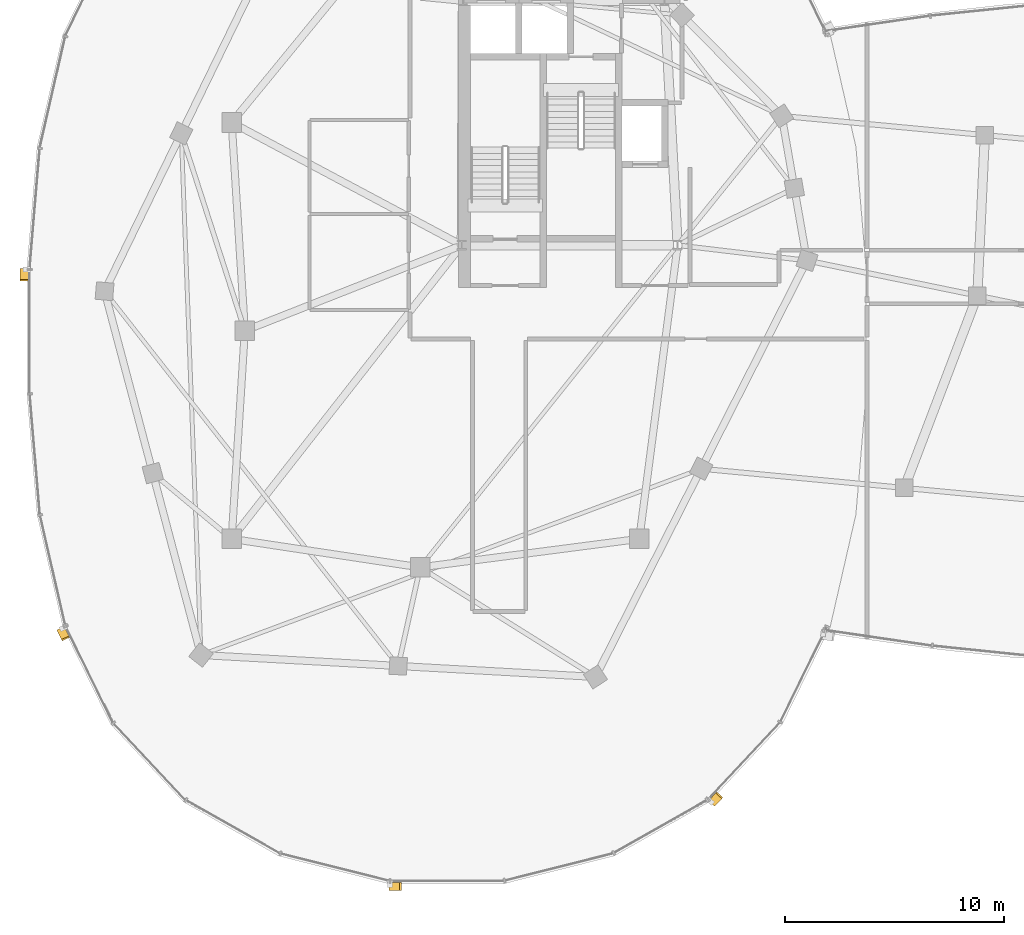
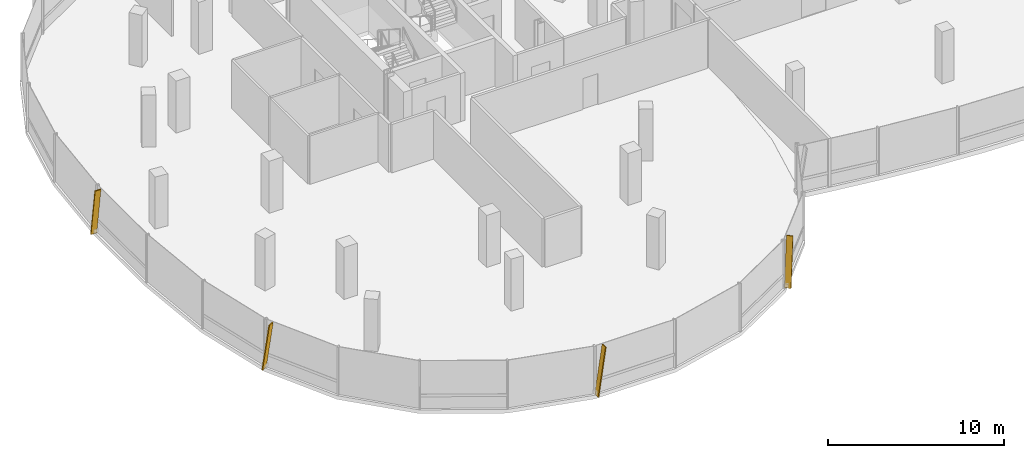
# One storey, part 19 of 24: 4 shading devices.
"""IFC4 building model written with IfcOpenShell, lengths in metres."""

from ifc_helpers import new_model, si_unit, direction, frame, origin, origin_2d, place, context, subcontext, project, spatial, rectangle, extrude, material, material_profile, profile_set, type_object, element, save


model = new_model("IFC4")

# Units and contexts
model_context = context("Model", 3, precision=1e-05, world=origin(), true_north=direction((0.0, 1.0)))
body_context = subcontext(model_context, "Body", "Model", "MODEL_VIEW")
ifc_project = project(units=[si_unit("LENGTHUNIT", "METRE"), si_unit("AREAUNIT", "SQUARE_METRE"), si_unit("VOLUMEUNIT", "CUBIC_METRE"), si_unit("PLANEANGLEUNIT", "RADIAN"), si_unit("MASSUNIT", "GRAM", prefix="KILO"), si_unit("THERMODYNAMICTEMPERATUREUNIT", "KELVIN"), si_unit("POWERUNIT", "WATT")], contexts=[model_context])

# Site, building, storey
site_placement = place(None, origin())
site = spatial("IfcSite", under=ifc_project, at=site_placement, CompositionType="ELEMENT")
building_placement = place(site_placement, origin())
building = spatial("IfcBuilding", under=site, at=building_placement, Name="Cundina Bronze Exchange", CompositionType="ELEMENT")
storey_placement = place(building_placement, frame((0.0, 0.0, 268.39990234375)))
storey = spatial("IfcBuildingStorey", under=building, at=storey_placement, Name="L71", CompositionType="ELEMENT", Elevation=268.39990234375)

# Shading devices
ifc_material = material(Name="Anodised Bronze Aluminium 6063-T6", Category="aluminium")
ifc_material_profile = material_profile(ifc_material, rectangle(XDim=0.070068359375, YDim=0.3798828125, at=origin_2d()), Name="FIN70X380", Category="aluminium")
ifc_profile_set = profile_set([ifc_material_profile], Name="Anodised Bronze Aluminium 6063-T6")
shading_device_type = type_object("IfcShadingDeviceType", Name="SHD-FIN-BRZ380", PredefinedType="USERDEFINED", material=ifc_profile_set)
for number, where, z_axis, x_axis, name in (
    (1, (-51.26904296875, 2.79150390625, 0.02001953125), (0.0, -0.143932024572, 0.989587576874), (0.0, 0.989587576874, 0.143932024572), "L71 Diagonal Bronze Solar Fin 5"),
    (2, (-49.593505859375, -13.614013671875, 0.02001953125), (0.063400368732, -0.129216686851, 0.989587510574), (-0.435900311632, 0.888411143223, 0.143932480407), "L71 Diagonal Bronze Solar Fin 1"),
    (3, (-34.576416015625, -25.360107421875, 0.02001953125), (0.143932024572, 0.0, 0.989587576874), (-0.989587576874, 0.0, 0.143932024572), "L71 Diagonal Bronze Solar Fin 5"),
    (4, (-19.877685546875, -21.55078125, 0.02001953125), (0.098541444371, 0.10491076507, 0.989587446926), (-0.677505727677, -0.721296959704, 0.143932918008), "L71 Diagonal Bronze Solar Fin 1"),
):
    element("IfcShadingDevice", number, at=place(storey_placement, frame(where, z_axis=z_axis, x_axis=x_axis)), inside=storey, type_object=shading_device_type, Name=name, ObjectType="FIN", PredefinedType="USERDEFINED", context=body_context, shape_type="SweptSolid", body=[
        extrude(rectangle(XDim=0.070068359375, YDim=0.3798828125, at=origin_2d()), origin(), (0.0, 0.0, 1.0), 3.334716796875),
    ])

save(model, "model.ifc")
